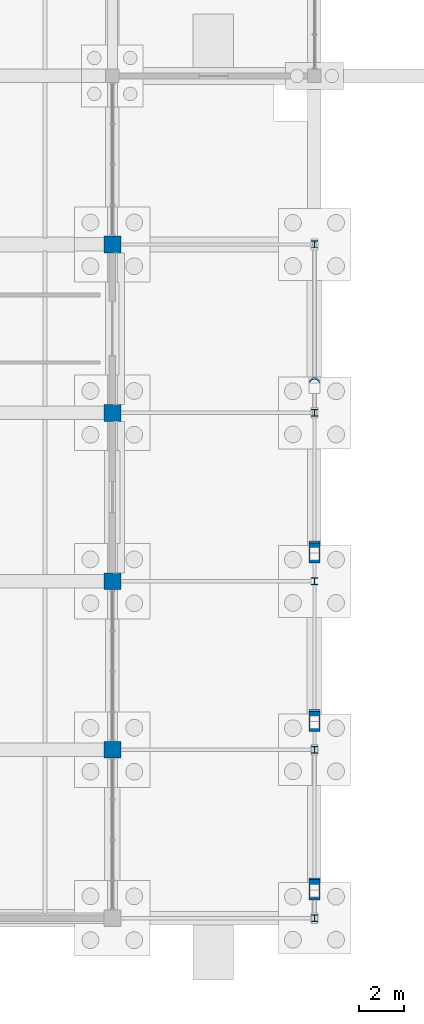
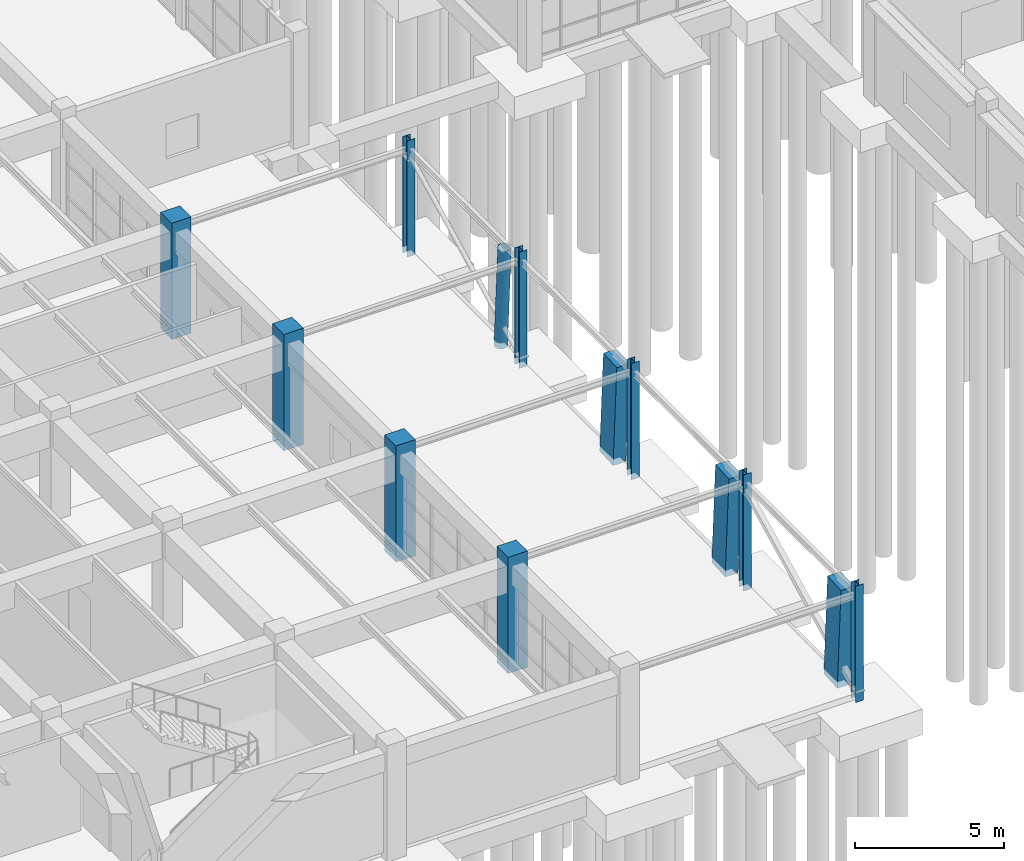
# One storey, part 10 of 93: 13 columns.
"""IFC4 building model written with IfcOpenShell, lengths in metres."""

import ifcopenshell
import ifcopenshell.guid

model = None  # the IFC model being written
_history = None  # IfcOwnerHistory: only IFC2X3 demands one
_inside = {}  # id of a spatial element -> (the spatial element, [elements in it])
_under = {}  # id of a project, library or spatial element -> (it, [spatial elements below it])
_declared = {}  # id of a project -> (the project, [libraries it declares])
_typed = {}  # id of a type object -> (the type object, [elements of that type])
_made_of = {}  # id of a material, layer set ... -> (it, [elements and type objects made of it])


def new_model(schema):
    """Start an empty IFC model of exactly this schema.

    Asked for "IFC4X3", IfcOpenShell would pick the latest addendum, in which some entities
    have other attributes; the version numbers below select the first issue.
    IFC2X3 requires an IfcOwnerHistory on every rooted entity: one is made here for all.
    """
    global model, _history
    if schema == "IFC4X3":
        model = ifcopenshell.file(schema_version=(4, 3, 0, 0))
    else:
        model = ifcopenshell.file(schema=schema)
    _inside.clear()
    _under.clear()
    _declared.clear()
    _typed.clear()
    _made_of.clear()
    _history = None
    if model.schema == "IFC2X3":
        org = make("IfcOrganization", Name="unknown")
        user = make(
            "IfcPersonAndOrganization",
            ThePerson=make("IfcPerson", FamilyName="unknown"),
            TheOrganization=org,
        )
        app = make(
            "IfcApplication",
            ApplicationDeveloper=org,
            Version="unknown",
            ApplicationFullName="unknown",
            ApplicationIdentifier="unknown",
        )
        _history = make(
            "IfcOwnerHistory",
            OwningUser=user,
            OwningApplication=app,
            ChangeAction="ADDED",
            CreationDate=0,
        )
    return model


def make(cls, **values):
    """One entity of the class cls with the attributes given. An attribute that is None is left unset."""
    return model.create_entity(
        cls, **{name: value for name, value in values.items() if value is not None}
    )


def rooted(cls, **values):
    """An entity with a GlobalId (a new one), such as an element, a storey or a relation."""
    return make(cls, GlobalId=ifcopenshell.guid.new(), OwnerHistory=_history, **values)


def si_unit(unit_type, name, prefix=None):
    """IfcSIUnit, for example si_unit("LENGTHUNIT", "METRE", prefix="MILLI")."""
    return make("IfcSIUnit", UnitType=unit_type, Prefix=prefix, Name=name)


def assignment(units):
    """IfcUnitAssignment: the units of a project."""
    return None if units is None else make("IfcUnitAssignment", Units=units)


def point(xyz):
    """IfcCartesianPoint."""
    return None if xyz is None else make("IfcCartesianPoint", Coordinates=xyz)


def direction(xyz):
    """IfcDirection."""
    return None if xyz is None else make("IfcDirection", DirectionRatios=xyz)


def frame(location, z_axis=None, x_axis=None):
    """IfcAxis2Placement3D, a coordinate frame: its origin and axes. An axis left out is left unset."""
    return make(
        "IfcAxis2Placement3D",
        Location=point(location),
        Axis=direction(z_axis),
        RefDirection=direction(x_axis),
    )


def frame_2d(location, x_axis=None):
    """IfcAxis2Placement2D, a coordinate frame in the plane: its origin and x axis."""
    return make(
        "IfcAxis2Placement2D", Location=point(location), RefDirection=direction(x_axis)
    )


def origin():
    """The frame at (0, 0, 0) with its axes left unset."""
    return frame((0.0, 0.0, 0.0))


def origin_2d():
    """The frame at (0, 0) in the plane with its x axis left unset."""
    return frame_2d((0.0, 0.0))


def place(relative_to, where):
    """IfcLocalPlacement: puts the frame where relative to a parent placement (None: the world)."""
    return make(
        "IfcLocalPlacement", PlacementRelTo=relative_to, RelativePlacement=where
    )


def context(
    kind, dimensions, precision=None, world=None, true_north=None, identifier=None
):
    """IfcGeometricRepresentationContext, for example the 3D "Model" context."""
    return make(
        "IfcGeometricRepresentationContext",
        ContextIdentifier=identifier,
        ContextType=kind,
        CoordinateSpaceDimension=dimensions,
        Precision=precision,
        WorldCoordinateSystem=world,
        TrueNorth=true_north,
    )


def subcontext(parent, identifier, kind, view, scale=None):
    """IfcGeometricRepresentationSubContext, for example "Body" below "Model"."""
    return make(
        "IfcGeometricRepresentationSubContext",
        ContextIdentifier=identifier,
        ContextType=kind,
        ParentContext=parent,
        TargetScale=scale,
        TargetView=view,
    )


def project(units=None, contexts=None):
    """IfcProject with its units and contexts."""
    return rooted(
        "IfcProject",
        Name="project",
        RepresentationContexts=contexts,
        UnitsInContext=assignment(units),
    )


def spatial(cls, under=None, at=None, **own):
    """A site, building, storey or space (cls), placed at a placement, below another one or the project."""
    s = rooted(cls, ObjectPlacement=at, **own)
    if under is not None:
        _under.setdefault(under.id(), (under, []))[1].append(s)
    return s


def profile(cls, at=None, kind="AREA", **sizes):
    """A parametric profile (cls). Its sizes go by their IFC names, for example OverallWidth=200.0."""
    return make(cls, ProfileType=kind, Position=at, **sizes)


def rectangle(**sizes):
    """IfcRectangleProfileDef."""
    return profile("IfcRectangleProfileDef", **sizes)


def hollow_circle(**sizes):
    """IfcCircleHollowProfileDef."""
    return profile("IfcCircleHollowProfileDef", **sizes)


def i_section(**sizes):
    """IfcIShapeProfileDef."""
    return profile("IfcIShapeProfileDef", **sizes)


def extrude(swept, where, along, depth):
    """IfcExtrudedAreaSolid: the profile swept, set in the frame where, extruded along a direction by depth."""
    return make(
        "IfcExtrudedAreaSolid",
        SweptArea=swept,
        Position=where,
        ExtrudedDirection=direction(along),
        Depth=depth,
    )


def shape(context_of_items, identifier, shape_type, items):
    """IfcShapeRepresentation: the items that make up one representation, for example the "Body"."""
    return make(
        "IfcShapeRepresentation",
        ContextOfItems=context_of_items,
        RepresentationIdentifier=identifier,
        RepresentationType=shape_type,
        Items=items,
    )


def material(Name=None, Category=None):
    """IfcMaterial."""
    return make("IfcMaterial", Name=Name, Category=Category)


def material_profile(
    of_material, cross_section, Name=None, Category=None, Priority=None
):
    """IfcMaterialProfile: a cross section and its material."""
    return make(
        "IfcMaterialProfile",
        Name=Name,
        Material=of_material,
        Profile=cross_section,
        Priority=Priority,
        Category=Category,
    )


def profile_set(profiles, Name=None, composite=None):
    """IfcMaterialProfileSet."""
    return make(
        "IfcMaterialProfileSet",
        Name=Name,
        MaterialProfiles=profiles,
        CompositeProfile=composite,
    )


def made_of(thing, what):
    """Note that an element or type object is made of a material, layer set ...; save() writes the relation."""
    if what is not None:
        _made_of.setdefault(what.id(), (what, []))[1].append(thing)
    return thing


def type_object(cls, material=None, **own):
    """A type object (cls), such as IfcWallType, which elements share."""
    return made_of(rooted(cls, **own), material)


def element(
    cls,
    number,
    at=None,
    inside=None,
    cuts=None,
    type_object=None,
    material=None,
    context=None,
    identifier="Body",
    shape_type=None,
    held_by="IfcProductDefinitionShape",
    body=None,
    shapes=None,
    **own,
):
    """One element of the class cls, such as IfcWall. Its Tag is "e" and its number.

    at: its placement. inside: the storey or other place that contains it. cuts: it is an
    opening in that element (IfcRelVoidsElement). A single representation is given by context,
    identifier, shape_type and body (its items); several are given by shapes. held_by: the class
    of the entity that holds the representations. save() writes the other relations.
    """
    e = rooted(cls, Tag="e%d" % number, ObjectPlacement=at, **own)
    if body is not None:
        shapes = [shape(context, identifier, shape_type, body)]
    if shapes is not None:
        e.Representation = make(held_by, Representations=shapes)
    if inside is not None:
        _inside.setdefault(inside.id(), (inside, []))[1].append(e)
    if cuts is not None:
        rooted(
            "IfcRelVoidsElement", RelatingBuildingElement=cuts, RelatedOpeningElement=e
        )
    if type_object is not None:
        _typed.setdefault(type_object.id(), (type_object, []))[1].append(e)
    return made_of(e, material)


def aggregate(whole, parts):
    """IfcRelAggregates: a whole, such as a stair, and the parts it consists of."""
    return rooted("IfcRelAggregates", RelatingObject=whole, RelatedObjects=parts)


def save(model, path):
    """Write the relations noted so far, then the file.

    IfcRelAggregates (storeys below a building ...), IfcRelContainedInSpatialStructure (elements
    in a storey), IfcRelDefinesByType, IfcRelAssociatesMaterial and IfcRelDeclares: one each for
    every whole, place, type object, material and project.
    """
    for whole, parts in _under.values():
        aggregate(whole, parts)
    for where, things in _inside.values():
        rooted(
            "IfcRelContainedInSpatialStructure",
            RelatedElements=things,
            RelatingStructure=where,
        )
    for kind, things in _typed.values():
        rooted("IfcRelDefinesByType", RelatedObjects=things, RelatingType=kind)
    for what, things in _made_of.values():
        rooted("IfcRelAssociatesMaterial", RelatedObjects=things, RelatingMaterial=what)
    for by, libraries in _declared.values():
        rooted("IfcRelDeclares", RelatingContext=by, RelatedDefinitions=libraries)
    model.write(path)


model = new_model("IFC4")

# Units and contexts
model_context = context("Model", 3, precision=1e-05, world=origin(), true_north=direction((0.0, 1.0)))
body_context = subcontext(model_context, "Body", "Model", "MODEL_VIEW")
ifc_project = project(units=[si_unit("LENGTHUNIT", "METRE"), si_unit("AREAUNIT", "SQUARE_METRE"), si_unit("VOLUMEUNIT", "CUBIC_METRE"), si_unit("PLANEANGLEUNIT", "RADIAN"), si_unit("MASSUNIT", "GRAM", prefix="KILO")], contexts=[model_context])

# Site, building, storey
site_placement = place(None, origin())
site = spatial("IfcSite", under=ifc_project, at=site_placement, CompositionType="ELEMENT")
building_placement = place(site_placement, origin())
building = spatial("IfcBuilding", under=site, at=building_placement, Name="Marnridge Secondary College", CompositionType="ELEMENT")
storey_placement = place(building_placement, origin())
storey = spatial("IfcBuildingStorey", under=building, at=storey_placement, Name="L00", CompositionType="ELEMENT", Elevation=0.0)

# Columns
ifc_material_1 = material(Name="Cold-formed steel Grade C350L0 (AS/NZS 1163, fy = 350 MPa)", Category="steel")
ifc_material_profile_1 = material_profile(ifc_material_1, hollow_circle(Radius=0.228515625, WallThickness=0.0126953125, at=origin_2d()), Name="457.0x12.7CHS")
ifc_profile_set_1 = profile_set([ifc_material_profile_1], Name="Cold-formed steel Grade C350L0 (AS/NZS 1163, fy = 350 MPa)")
column_type_1 = type_object("IfcColumnType", Name="CL-CHS457-EXT", PredefinedType="PILASTER", material=ifc_profile_set_1)
column_placement = place(storey_placement, frame((45.0, 23.85009765625, -0.25), z_axis=(0.0, -0.060101656715, 0.998192261471), x_axis=(1.0, 0.0, 0.0)))
element("IfcColumn", 1, at=column_placement, inside=storey, type_object=column_type_1, Name="Inclined pilaster strut CP-0647", PredefinedType="PILASTER", context=body_context, shape_type="SweptSolid", body=[
    extrude(hollow_circle(Radius=0.228515625, WallThickness=0.0126953125, at=origin_2d()), origin(), (0.0, 0.0, 1.0), 4.15966796875),
])
ifc_material_2 = material(Name="Concrete C50/60 (AS 3600 N50, 50 MPa)", Category="concrete")
ifc_material_profile_2 = material_profile(ifc_material_2, rectangle(XDim=0.5, YDim=0.89990234375, at=origin_2d()), Name="RC 500x900")
ifc_profile_set_2 = profile_set([ifc_material_profile_2], Name="Concrete C50/60 (AS 3600 N50, 50 MPa)")
column_type_2 = type_object("IfcColumnType", Name="CL-RC5090-EXT", PredefinedType="PILASTER", material=ifc_profile_set_2)
for number, where, z_axis, x_axis, name in (
    (2, (45.0, 1.35009765625, -0.25), (0.0, -0.060101656715, 0.998192261471), (1.0, 0.0, 0.0), "Inclined pilaster strut CP-0644"),
    (3, (45.0, 8.85009765625, -0.25), (0.0, -0.060101656715, 0.998192261471), (1.0, 0.0, 0.0), "Inclined pilaster strut CP-0645"),
    (4, (45.0, 16.35009765625, -0.25), (0.0, -0.060101656715, 0.998192261471), (1.0, 0.0, 0.0), "Inclined pilaster strut CP-0646"),
):
    element("IfcColumn", number, at=place(storey_placement, frame(where, z_axis=z_axis, x_axis=x_axis)), inside=storey, type_object=column_type_2, Name=name, PredefinedType="PILASTER", context=body_context, shape_type="SweptSolid", body=[
        extrude(rectangle(XDim=0.5, YDim=0.89990234375, at=origin_2d()), origin(), (0.0, 0.0, 1.0), 4.15966796875),
    ])
ifc_material_3 = material(Name="Concrete C50/60 (AS 3600 N50, 50 MPa)", Category="concrete")
ifc_material_profile_3 = material_profile(ifc_material_3, rectangle(XDim=0.75, YDim=0.75, at=origin_2d()), Name="RC 750x750")
ifc_profile_set_3 = profile_set([ifc_material_profile_3], Name="Concrete C50/60 (AS 3600 N50, 50 MPa)")
column_type_3 = type_object("IfcColumnType", Name="CL-RC750-EXT", PredefinedType="COLUMN", material=ifc_profile_set_3)
for number, where, z_axis, x_axis, name in (
    (5, (36.0, 7.5, -0.25), (0.0, 0.0, 1.0), (1.0, 0.0, 0.0), "Column C-L00-0073"),
    (6, (36.0, 15.0, -0.25), (0.0, 0.0, 1.0), (1.0, 0.0, 0.0), "Column C-L00-0118"),
    (7, (36.0, 22.5, -0.25), (0.0, 0.0, 1.0), (1.0, 0.0, 0.0), "Column C-L00-0163"),
    (8, (36.0, 30.0, -0.25), (0.0, 0.0, 1.0), (1.0, 0.0, 0.0), "Column C-L00-0208"),
):
    element("IfcColumn", number, at=place(storey_placement, frame(where, z_axis=z_axis, x_axis=x_axis)), inside=storey, type_object=column_type_3, Name=name, PredefinedType="COLUMN", context=body_context, shape_type="SweptSolid", body=[
        extrude(rectangle(XDim=0.75, YDim=0.75, at=origin_2d()), origin(), (0.0, 0.0, 1.0), 4.75),
    ])
ifc_material_4 = material(Name="Structural steel Grade 350 (AS/NZS 3679.1/.2, fy = 340-360 MPa)", Category="steel")
ifc_material_profile_4 = material_profile(ifc_material_4, i_section(OverallWidth=0.3046875, OverallDepth=0.30810546875, WebThickness=0.010009765625, FlangeThickness=0.015380859375, FilletRadius=0.0166015625, at=origin_2d()), Name="310UC96.8")
ifc_profile_set_4 = profile_set([ifc_material_profile_4], Name="Structural steel Grade 350 (AS/NZS 3679.1/.2, fy = 340-360 MPa)")
column_type_4 = type_object("IfcColumnType", Name="CL-UC310A-EXT", PredefinedType="COLUMN", material=ifc_profile_set_4)
for number, where, z_axis, x_axis, name in (
    (9, (45.0, 0.0, -0.25), (0.0, 0.0, 1.0), (1.0, 0.0, 0.0), "Column C-L00-0026"),
    (10, (45.0, 7.5, -0.25), (0.0, 0.0, 1.0), (1.0, 0.0, 0.0), "Column C-L00-0078"),
    (11, (45.0, 15.0, -0.25), (0.0, 0.0, 1.0), (1.0, 0.0, 0.0), "Column C-L00-0123"),
    (12, (45.0, 22.5, -0.25), (0.0, 0.0, 1.0), (1.0, 0.0, 0.0), "Column C-L00-0168"),
    (13, (45.0, 30.0, -0.25), (0.0, 0.0, 1.0), (1.0, 0.0, 0.0), "Column C-L00-0213"),
):
    element("IfcColumn", number, at=place(storey_placement, frame(where, z_axis=z_axis, x_axis=x_axis)), inside=storey, type_object=column_type_4, Name=name, PredefinedType="COLUMN", context=body_context, shape_type="SweptSolid", body=[
        extrude(i_section(OverallWidth=0.3046875, OverallDepth=0.30810546875, WebThickness=0.010009765625, FlangeThickness=0.015380859375, FilletRadius=0.0166015625, at=origin_2d()), origin(), (0.0, 0.0, 1.0), 4.75),
    ])

save(model, "model.ifc")
